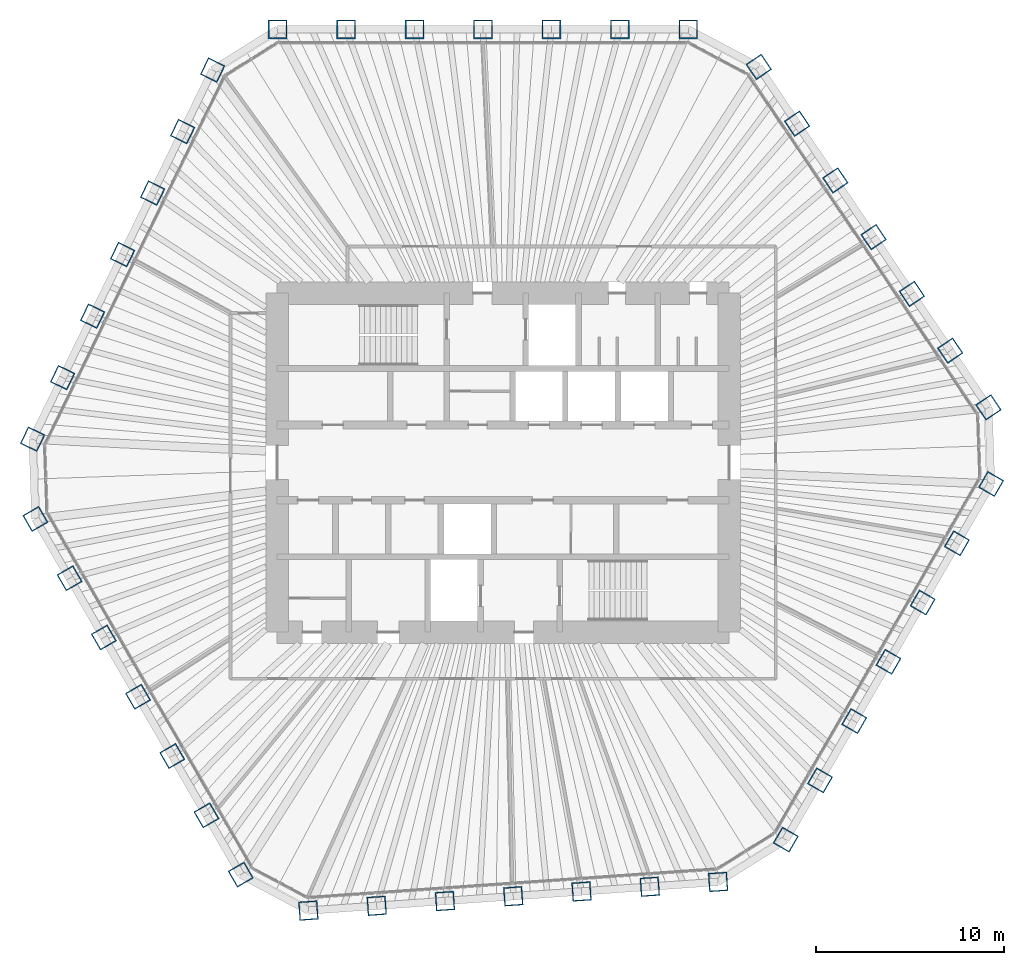
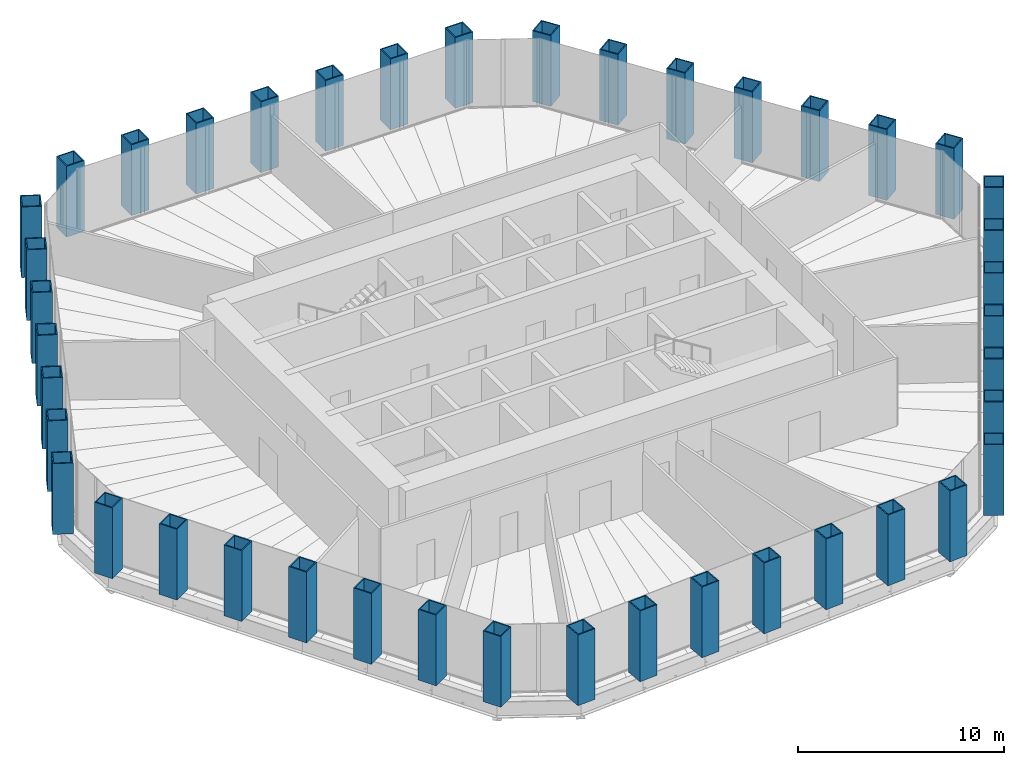
# One storey, part 1 of 13: 42 columns.
"""IFC4 building model written with IfcOpenShell, lengths in metres."""

from ifc_helpers import new_model, si_unit, direction, frame, origin, origin_2d, place, context, subcontext, project, spatial, hollow_rectangle, extrude, material, material_profile, profile_set, type_object, element, save


model = new_model("IFC4")

# Units and contexts
model_context = context("Model", 3, precision=1e-05, world=origin(), true_north=direction((0.0, 1.0)))
body_context = subcontext(model_context, "Body", "Model", "MODEL_VIEW")
ifc_project = project(units=[si_unit("LENGTHUNIT", "METRE"), si_unit("AREAUNIT", "SQUARE_METRE"), si_unit("VOLUMEUNIT", "CUBIC_METRE"), si_unit("PLANEANGLEUNIT", "RADIAN"), si_unit("MASSUNIT", "GRAM", prefix="KILO")], contexts=[model_context])

# Site, building, storey
site_placement = place(None, origin())
site = spatial("IfcSite", under=ifc_project, at=site_placement, CompositionType="ELEMENT")
building_placement = place(site_placement, origin())
building = spatial("IfcBuilding", under=site, at=building_placement, Name="Qingtian Harvest Tower", CompositionType="ELEMENT")
storey_placement = place(building_placement, frame((0.0, 0.0, 226.60009765625)))
storey = spatial("IfcBuildingStorey", under=building, at=storey_placement, Name="L49", CompositionType="ELEMENT", Elevation=226.60009765625)

# Columns
ifc_material = material(Name="Steel SM570MC", Category="steel")
ifc_material_profile = material_profile(ifc_material, hollow_rectangle(XDim=1.0, YDim=1.0, WallThickness=0.06005859375, at=origin_2d()), Name="BOX1000x1000x60")
ifc_profile_set = profile_set([ifc_material_profile], Name="Steel SM570MC")
column_type = type_object("IfcColumnType", Name="Tube column TC6 BOX1000x1000x60", PredefinedType="COLUMN", material=ifc_profile_set)
for number, where, z_axis, x_axis, name in (
    (1, (-11.971923828125, 23.0, 0.0), (0.0, 0.0, 1.0), (-1.0, 0.0, 0.0), "Tube column TC6 N0"),
    (2, (-8.33837890625, 23.0, 0.0), (0.0, 0.0, 1.0), (-1.0, 0.0, 0.0), "Tube column TC6 N1"),
    (3, (-4.704833984375, 23.0, 0.0), (0.0, 0.0, 1.0), (-1.0, 0.0, 0.0), "Tube column TC6 N2"),
    (4, (-1.0712890625, 23.0, 0.0), (0.0, 0.0, 1.0), (-1.0, 0.0, 0.0), "Tube column TC6 N3"),
    (5, (2.562255859375, 23.0, 0.0), (0.0, 0.0, 1.0), (-1.0, 0.0, 0.0), "Tube column TC6 N4"),
    (6, (6.19580078125, 23.0, 0.0), (0.0, 0.0, 1.0), (-1.0, 0.0, 0.0), "Tube column TC6 N5"),
    (7, (9.829345703125, 23.0, 0.0), (0.0, 0.0, 1.0), (-1.0, 0.0, 0.0), "Tube column TC6 N6"),
    (8, (13.5712890625, 21.01025390625, 0.0), (0.0, 0.0, 1.0), (-0.559192903471, 0.829037572555, 0.0), "Tube column TC6 NE0"),
    (9, (15.603271484375, 17.998046875, 0.0), (0.0, 0.0, 1.0), (-0.559192903471, 0.829037572555, 0.0), "Tube column TC6 NE1"),
    (10, (17.635009765625, 14.985595703125, 0.0), (0.0, 0.0, 1.0), (-0.559192903471, 0.829037572555, 0.0), "Tube column TC6 NE2"),
    (11, (19.6669921875, 11.97314453125, 0.0), (0.0, 0.0, 1.0), (-0.559192903471, 0.829037572555, 0.0), "Tube column TC6 NE3"),
    (12, (21.69873046875, 8.9609375, 0.0), (0.0, 0.0, 1.0), (-0.559192903471, 0.829037572555, 0.0), "Tube column TC6 NE4"),
    (13, (23.730712890625, 5.948486328125, 0.0), (0.0, 0.0, 1.0), (-0.559192903471, 0.829037572555, 0.0), "Tube column TC6 NE5"),
    (14, (25.762451171875, 2.936279296875, 0.0), (0.0, 0.0, 1.0), (-0.559192903471, 0.829037572555, 0.0), "Tube column TC6 NE6"),
    (15, (25.904541015625, -1.1318359375, 0.0), (0.0, 0.0, 1.0), (0.5, 0.866025403784, 0.0), "Tube column TC6 SE0"),
    (16, (24.087890625, -4.27880859375, 0.0), (0.0, 0.0, 1.0), (0.5, 0.866025403784, 0.0), "Tube column TC6 SE1"),
    (17, (22.27099609375, -7.425537109375, 0.0), (0.0, 0.0, 1.0), (0.5, 0.866025403784, 0.0), "Tube column TC6 SE2"),
    (18, (20.454345703125, -10.572265625, 0.0), (0.0, 0.0, 1.0), (0.5, 0.866025403784, 0.0), "Tube column TC6 SE3"),
    (19, (18.637451171875, -13.718994140625, 0.0), (0.0, 0.0, 1.0), (0.5, 0.866025403784, 0.0), "Tube column TC6 SE4"),
    (20, (16.82080078125, -16.86572265625, 0.0), (0.0, 0.0, 1.0), (0.5, 0.866025403784, 0.0), "Tube column TC6 SE5"),
    (21, (15.00390625, -20.012451171875, 0.0), (0.0, 0.0, 1.0), (0.5, 0.866025403784, 0.0), "Tube column TC6 SE6"),
    (22, (11.40966796875, -22.25830078125, 0.0), (0.0, 0.0, 1.0), (0.99756405026, 0.069756473744, 0.0), "Tube column TC6 S0"),
    (23, (7.78515625, -22.51171875, 0.0), (0.0, 0.0, 1.0), (0.99756405026, 0.069756473744, 0.0), "Tube column TC6 S1"),
    (24, (4.160400390625, -22.76513671875, 0.0), (0.0, 0.0, 1.0), (0.99756405026, 0.069756473744, 0.0), "Tube column TC6 S2"),
    (25, (0.53564453125, -23.018798828125, 0.0), (0.0, 0.0, 1.0), (0.99756405026, 0.069756473744, 0.0), "Tube column TC6 S3"),
    (26, (-3.089111328125, -23.272216796875, 0.0), (0.0, 0.0, 1.0), (0.99756405026, 0.069756473744, 0.0), "Tube column TC6 S4"),
    (27, (-6.713623046875, -23.525634765625, 0.0), (0.0, 0.0, 1.0), (0.99756405026, 0.069756473744, 0.0), "Tube column TC6 S5"),
    (28, (-10.33837890625, -23.779052734375, 0.0), (0.0, 0.0, 1.0), (0.99756405026, 0.069756473744, 0.0), "Tube column TC6 S6"),
    (29, (-13.9326171875, -21.8681640625, 0.0), (0.0, 0.0, 1.0), (0.5, -0.866025403784, 0.0), "Tube column TC6 SW0"),
    (30, (-15.749267578125, -18.72119140625, 0.0), (0.0, 0.0, 1.0), (0.5, -0.866025403784, 0.0), "Tube column TC6 SW1"),
    (31, (-17.566162109375, -15.574462890625, 0.0), (0.0, 0.0, 1.0), (0.5, -0.866025403784, 0.0), "Tube column TC6 SW2"),
    (32, (-19.3828125, -12.427734375, 0.0), (0.0, 0.0, 1.0), (0.5, -0.866025403784, 0.0), "Tube column TC6 SW3"),
    (33, (-21.19970703125, -9.281005859375, 0.0), (0.0, 0.0, 1.0), (0.5, -0.866025403784, 0.0), "Tube column TC6 SW4"),
    (34, (-23.016357421875, -6.13427734375, 0.0), (0.0, 0.0, 1.0), (0.5, -0.866025403784, 0.0), "Tube column TC6 SW5"),
    (35, (-24.833251953125, -2.987548828125, 0.0), (0.0, 0.0, 1.0), (0.5, -0.866025403784, 0.0), "Tube column TC6 SW6"),
    (36, (-24.981201171875, 1.248046875, 0.0), (0.0, 0.0, 1.0), (-0.438371146789, -0.898794046299, 0.0), "Tube column TC6 NW0"),
    (37, (-23.388427734375, 4.513916015625, 0.0), (0.0, 0.0, 1.0), (-0.438371146789, -0.898794046299, 0.0), "Tube column TC6 NW1"),
    (38, (-21.79541015625, 7.779541015625, 0.0), (0.0, 0.0, 1.0), (-0.438371146789, -0.898794046299, 0.0), "Tube column TC6 NW2"),
    (39, (-20.20263671875, 11.04541015625, 0.0), (0.0, 0.0, 1.0), (-0.438371146789, -0.898794046299, 0.0), "Tube column TC6 NW3"),
    (40, (-18.60986328125, 14.311279296875, 0.0), (0.0, 0.0, 1.0), (-0.438371146789, -0.898794046299, 0.0), "Tube column TC6 NW4"),
    (41, (-17.016845703125, 17.5771484375, 0.0), (0.0, 0.0, 1.0), (-0.438371146789, -0.898794046299, 0.0), "Tube column TC6 NW5"),
    (42, (-15.424072265625, 20.8427734375, 0.0), (0.0, 0.0, 1.0), (-0.438371146789, -0.898794046299, 0.0), "Tube column TC6 NW6"),
):
    element("IfcColumn", number, at=place(storey_placement, frame(where, z_axis=z_axis, x_axis=x_axis)), inside=storey, type_object=column_type, Name=name, PredefinedType="COLUMN", context=body_context, shape_type="SweptSolid", body=[
        extrude(hollow_rectangle(XDim=1.0, YDim=1.0, WallThickness=0.06005859375, at=origin_2d()), origin(), (0.0, 0.0, 1.0), 4.199951171875),
    ])

save(model, "model.ifc")
